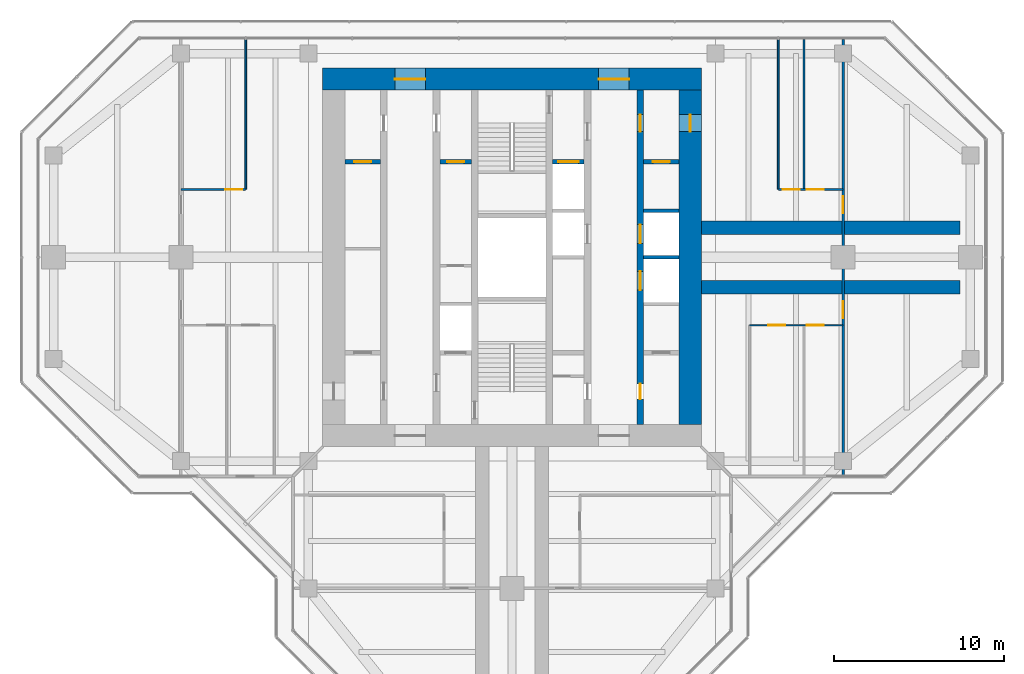
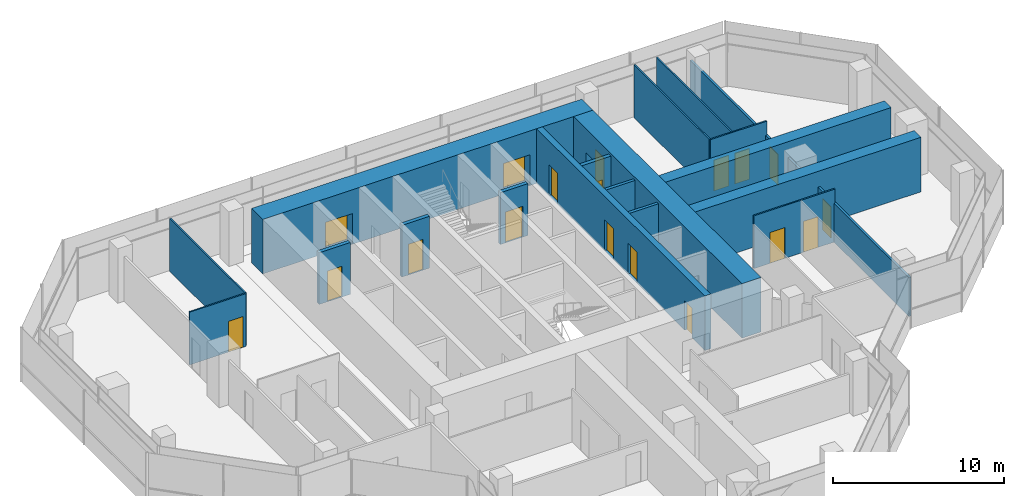
# One storey, part 13 of 16: 18 doors, 18 walls, 18 openings.
"""IFC4 building model written with IfcOpenShell, lengths in metres."""

from ifc_helpers import new_model, si_unit, direction, frame, frame_2d, origin, place, context, subcontext, project, spatial, rectangle, extrude, material, layer, layer_set, type_object, element, fill, save


model = new_model("IFC4")

# Units and contexts
model_context = context("Model", 3, precision=1e-05, world=origin(), true_north=direction((0.0, 1.0)))
body_context = subcontext(model_context, "Body", "Model", "MODEL_VIEW")
ifc_project = project(units=[si_unit("LENGTHUNIT", "METRE"), si_unit("AREAUNIT", "SQUARE_METRE"), si_unit("VOLUMEUNIT", "CUBIC_METRE"), si_unit("PLANEANGLEUNIT", "RADIAN"), si_unit("MASSUNIT", "GRAM", prefix="KILO")], contexts=[model_context])

# Site, building, storey
site_placement = place(None, origin())
site = spatial("IfcSite", under=ifc_project, at=site_placement, CompositionType="ELEMENT")
building_placement = place(site_placement, origin())
building = spatial("IfcBuilding", under=site, at=building_placement, Name="Mizan Broadcast Tower", CompositionType="ELEMENT")
storey_placement = place(building_placement, frame((0.0, 0.0, 294.60009765625)))
storey = spatial("IfcBuildingStorey", under=building, at=storey_placement, Name="L70", CompositionType="ELEMENT", Elevation=294.60009765625)

# Wall, openings, doors
ifc_material_1 = material(Name="Concrete C70/85", Category="concrete")
ifc_layer_1 = layer(ifc_material_1, 0.39990234375)
ifc_layer_set_1 = layer_set([ifc_layer_1], Name="Concrete C70/85")
wall_type_1 = type_object("IfcWallType", Name="CORE INTERNAL WALL 400", PredefinedType="SHEAR", material=ifc_layer_set_1)
wall_1_placement = place(storey_placement, frame((7.550048828125, 9.85009765625, 0.0), z_axis=(0.0, 0.0, 1.0), x_axis=(0.0, -1.0, 0.0)))
wall_1 = element("IfcWall", 1, at=wall_1_placement, inside=storey, type_object=wall_type_1, Name="Core wall CORE/XW1E", PredefinedType="SHEAR", context=body_context, shape_type="SweptSolid", body=[
    extrude(rectangle(XDim=19.7001953125, YDim=0.39990234375, at=frame_2d((9.85009765625, 0.0))), origin(), (0.0, 0.0, 1.0), 3.89990234375),
])
opening_1_placement = place(wall_1_placement, frame((1.449951171875, 0.0, 0.0)))
opening_1 = element("IfcOpeningElement", 2, at=opening_1_placement, cuts=wall_1, Name="Opening D10F", PredefinedType="OPENING", context=body_context, shape_type="SweptSolid", body=[
    extrude(rectangle(XDim=1.0, YDim=2.199951171875, at=frame_2d((0.5, 1.10009765625))), frame((0.0, 0.2099609375, 0.0), z_axis=(0.0, -1.0, 0.0), x_axis=(1.0, 0.0, 0.0)), (0.0, 0.0, 1.0), 0.419921875),
])
opening_2_placement = place(wall_1_placement, frame((17.300048828125, 0.0, 0.0)))
opening_2 = element("IfcOpeningElement", 3, at=opening_2_placement, cuts=wall_1, Name="Opening D09", PredefinedType="OPENING", context=body_context, shape_type="SweptSolid", body=[
    extrude(rectangle(XDim=0.89990234375, YDim=2.10009765625, at=frame_2d((0.449951171875, 1.050048828125))), frame((0.0, 0.2099609375, 0.0), z_axis=(0.0, -1.0, 0.0), x_axis=(1.0, 0.0, 0.0)), (0.0, 0.0, 1.0), 0.419921875),
])
opening_3_placement = place(wall_1_placement, frame((7.925048828125, 0.0, 0.0)))
opening_3 = element("IfcOpeningElement", 4, at=opening_3_placement, cuts=wall_1, Name="Opening LD", PredefinedType="OPENING", context=body_context, shape_type="SweptSolid", body=[
    extrude(rectangle(XDim=1.10009765625, YDim=2.199951171875, at=frame_2d((0.550048828125, 1.10009765625))), frame((0.0, 0.2099609375, 0.0), z_axis=(0.0, -1.0, 0.0), x_axis=(1.0, 0.0, 0.0)), (0.0, 0.0, 1.0), 0.419921875),
])
opening_4_placement = place(wall_1_placement, frame((10.675048828125, 0.0, 0.0)))
opening_4 = element("IfcOpeningElement", 5, at=opening_4_placement, cuts=wall_1, Name="Opening LD", PredefinedType="OPENING", context=body_context, shape_type="SweptSolid", body=[
    extrude(rectangle(XDim=1.10009765625, YDim=2.199951171875, at=frame_2d((0.550048828125, 1.10009765625))), frame((0.0, 0.2099609375, 0.0), z_axis=(0.0, -1.0, 0.0), x_axis=(1.0, 0.0, 0.0)), (0.0, 0.0, 1.0), 0.419921875),
])
ifc_material_2 = material(Name="Steel door leaf in steel frame", Category="steel")
door_type_1 = type_object("IfcDoorType", Name="FIRE DOOR 1000 FD90", OperationType="SINGLE_SWING_LEFT", PredefinedType="DOOR", material=ifc_material_2)
door_1_placement = place(opening_1_placement, origin())
door_1 = element("IfcDoor", 6, at=door_1_placement, inside=storey, type_object=door_type_1, Name="East core passage door", OperationType="SINGLE_SWING_LEFT", OverallHeight=2.199951171875, OverallWidth=1.0, PredefinedType="DOOR", context=body_context, shape_type="SweptSolid", body=[
    extrude(rectangle(XDim=1.0, YDim=2.199951171875, at=frame_2d((0.5, 1.10009765625))), frame((0.0, 0.02490234375, 0.0), z_axis=(0.0, -1.0, 0.0), x_axis=(1.0, 0.0, 0.0)), (0.0, 0.0, 1.0), 0.050048828125),
])
fill(opening_1, door_1)
ifc_material_3 = material(Name="Steel door leaf in steel frame", Category="steel")
door_type_2 = type_object("IfcDoorType", Name="LIFT LANDING DOOR 1100", OperationType="SLIDING_TO_LEFT", PredefinedType="DOOR", material=ifc_material_3)
door_2_placement = place(opening_3_placement, origin())
door_2 = element("IfcDoor", 7, at=door_2_placement, inside=storey, type_object=door_type_2, Name="Landing door LD1", OperationType="SLIDING_TO_LEFT", OverallHeight=2.199951171875, OverallWidth=1.10009765625, PredefinedType="DOOR", context=body_context, shape_type="SweptSolid", body=[
    extrude(rectangle(XDim=1.10009765625, YDim=2.199951171875, at=frame_2d((0.550048828125, 1.10009765625))), frame((0.0, 0.02490234375, 0.0), z_axis=(0.0, -1.0, 0.0), x_axis=(1.0, 0.0, 0.0)), (0.0, 0.0, 1.0), 0.050048828125),
])
fill(opening_3, door_2)
door_3_placement = place(opening_4_placement, origin())
door_3 = element("IfcDoor", 8, at=door_3_placement, inside=storey, type_object=door_type_2, Name="Landing door LD2", OperationType="SLIDING_TO_LEFT", OverallHeight=2.199951171875, OverallWidth=1.10009765625, PredefinedType="DOOR", context=body_context, shape_type="SweptSolid", body=[
    extrude(rectangle(XDim=1.10009765625, YDim=2.199951171875, at=frame_2d((0.550048828125, 1.10009765625))), frame((0.0, 0.02490234375, 0.0), z_axis=(0.0, -1.0, 0.0), x_axis=(1.0, 0.0, 0.0)), (0.0, 0.0, 1.0), 0.050048828125),
])
fill(opening_4, door_3)
ifc_material_4 = material(Name="Timber door leaf in aluminium frame", Category="wood")
door_type_3 = type_object("IfcDoorType", Name="TOILET DOOR 900", OperationType="SINGLE_SWING_LEFT", PredefinedType="DOOR", material=ifc_material_4)
door_4_placement = place(opening_2_placement, origin())
door_4 = element("IfcDoor", 9, at=door_4_placement, inside=storey, type_object=door_type_3, Name="Female WC door", OperationType="SINGLE_SWING_RIGHT", OverallHeight=2.10009765625, OverallWidth=0.89990234375, PredefinedType="DOOR", context=body_context, shape_type="SweptSolid", body=[
    extrude(rectangle(XDim=0.89990234375, YDim=2.10009765625, at=frame_2d((0.449951171875, 1.050048828125))), frame((0.0, 0.02490234375, 0.0), z_axis=(0.0, -1.0, 0.0), x_axis=(1.0, 0.0, 0.0)), (0.0, 0.0, 1.0), 0.050048828125),
])
fill(opening_2, door_4)

ifc_material_5 = material(Name="Concrete C70/85", Category="concrete")
ifc_layer_2 = layer(ifc_material_5, 1.300048828125)
ifc_layer_set_2 = layer_set([ifc_layer_2], Name="Concrete C70/85")
wall_type_2 = type_object("IfcWallType", Name="CORE WALL 1300", PredefinedType="SHEAR", material=ifc_layer_set_2)
wall_2_placement = place(storey_placement, frame((-11.14990234375, 10.5, 0.0), z_axis=(0.0, 0.0, 1.0), x_axis=(1.0, 0.0, 0.0)))
wall_2 = element("IfcWall", 10, at=wall_2_placement, inside=storey, type_object=wall_type_2, Name="Core wall N L70", PredefinedType="SHEAR", context=body_context, shape_type="SweptSolid", body=[
    extrude(rectangle(XDim=22.2998046875, YDim=1.300048828125, at=frame_2d((11.14990234375, 0.0))), origin(), (0.0, 0.0, 1.0), 3.89990234375),
])
opening_5_placement = place(wall_2_placement, frame((4.25, 0.0, 0.0)))
opening_5 = element("IfcOpeningElement", 11, at=opening_5_placement, cuts=wall_2, Name="Opening D18F", PredefinedType="OPENING", context=body_context, shape_type="SweptSolid", body=[
    extrude(rectangle(XDim=1.800048828125, YDim=2.199951171875, at=frame_2d((0.89990234375, 1.10009765625))), frame((0.0, 0.659912109375, 0.0), z_axis=(0.0, -1.0, 0.0), x_axis=(1.0, 0.0, 0.0)), (0.0, 0.0, 1.0), 1.320068359375),
])
opening_6_placement = place(wall_2_placement, frame((16.25, 0.0, 0.0)))
opening_6 = element("IfcOpeningElement", 12, at=opening_6_placement, cuts=wall_2, Name="Opening D18F", PredefinedType="OPENING", context=body_context, shape_type="SweptSolid", body=[
    extrude(rectangle(XDim=1.800048828125, YDim=2.199951171875, at=frame_2d((0.89990234375, 1.10009765625))), frame((0.0, 0.659912109375, 0.0), z_axis=(0.0, -1.0, 0.0), x_axis=(1.0, 0.0, 0.0)), (0.0, 0.0, 1.0), 1.320068359375),
])
ifc_material_6 = material(Name="Steel door leaf in steel frame", Category="steel")
door_type_4 = type_object("IfcDoorType", Name="LOBBY DOUBLE DOOR 1800 FD90", OperationType="DOUBLE_DOOR_DOUBLE_SWING", PredefinedType="DOOR", material=ifc_material_6)
door_5_placement = place(opening_5_placement, origin())
door_5 = element("IfcDoor", 13, at=door_5_placement, inside=storey, type_object=door_type_4, Name="West lift lobby north door", OperationType="DOUBLE_DOOR_DOUBLE_SWING", OverallHeight=2.199951171875, OverallWidth=1.800048828125, PredefinedType="DOOR", context=body_context, shape_type="SweptSolid", body=[
    extrude(rectangle(XDim=1.800048828125, YDim=2.199951171875, at=frame_2d((0.89990234375, 1.10009765625))), frame((0.0, 0.02490234375, 0.0), z_axis=(0.0, -1.0, 0.0), x_axis=(1.0, 0.0, 0.0)), (0.0, 0.0, 1.0), 0.050048828125),
])
fill(opening_5, door_5)
door_6_placement = place(opening_6_placement, origin())
door_6 = element("IfcDoor", 14, at=door_6_placement, inside=storey, type_object=door_type_4, Name="East lift lobby north door", OperationType="DOUBLE_DOOR_DOUBLE_SWING", OverallHeight=2.199951171875, OverallWidth=1.800048828125, PredefinedType="DOOR", context=body_context, shape_type="SweptSolid", body=[
    extrude(rectangle(XDim=1.800048828125, YDim=2.199951171875, at=frame_2d((0.89990234375, 1.10009765625))), frame((0.0, 0.02490234375, 0.0), z_axis=(0.0, -1.0, 0.0), x_axis=(1.0, 0.0, 0.0)), (0.0, 0.0, 1.0), 0.050048828125),
])
fill(opening_6, door_6)

# Wall, opening, door
wall_3_placement = place(storey_placement, frame((10.5, -9.85009765625, 0.0), z_axis=(0.0, 0.0, 1.0), x_axis=(0.0, 1.0, 0.0)))
wall_3 = element("IfcWall", 15, at=wall_3_placement, inside=storey, type_object=wall_type_2, Name="Core wall E L70", PredefinedType="SHEAR", context=body_context, shape_type="SweptSolid", body=[
    extrude(rectangle(XDim=19.7001953125, YDim=1.300048828125, at=frame_2d((9.85009765625, 0.0))), origin(), (0.0, 0.0, 1.0), 3.89990234375),
])
opening_7_placement = place(wall_3_placement, frame((17.25, 0.0, 0.0)))
opening_7 = element("IfcOpeningElement", 16, at=opening_7_placement, cuts=wall_3, Name="Opening D10F", PredefinedType="OPENING", context=body_context, shape_type="SweptSolid", body=[
    extrude(rectangle(XDim=1.0, YDim=2.199951171875, at=frame_2d((0.5, 1.10009765625))), frame((0.0, 0.659912109375, 0.0), z_axis=(0.0, -1.0, 0.0), x_axis=(1.0, 0.0, 0.0)), (0.0, 0.0, 1.0), 1.320068359375),
])
door_7_placement = place(opening_7_placement, origin())
door_7 = element("IfcDoor", 17, at=door_7_placement, inside=storey, type_object=door_type_1, Name="East core passage arm door", OperationType="SINGLE_SWING_RIGHT", OverallHeight=2.199951171875, OverallWidth=1.0, PredefinedType="DOOR", context=body_context, shape_type="SweptSolid", body=[
    extrude(rectangle(XDim=1.0, YDim=2.199951171875, at=frame_2d((0.5, 1.10009765625))), frame((0.0, 0.02490234375, 0.0), z_axis=(0.0, -1.0, 0.0), x_axis=(1.0, 0.0, 0.0)), (0.0, 0.0, 1.0), 0.050048828125),
])
fill(opening_7, door_7)

# Walls
ifc_material_7 = material(Name="Concrete blockwork", Category="masonry")
ifc_layer_3 = layer(ifc_material_7, 0.199951171875)
ifc_layer_set_3 = layer_set([ifc_layer_3], Name="Concrete blockwork")
wall_type_3 = type_object("IfcWallType", Name="LIFT SHAFT WALL 200", PredefinedType="SOLIDWALL", material=ifc_layer_set_3)
for number, where, z_axis, x_axis, name in (
    (18, (7.75, 0.0, 0.0), (0.0, 0.0, 1.0), (1.0, 0.0, 0.0), "Lift shaft wall CORE/SE1-2"),
    (19, (7.75, 2.75, 0.0), (0.0, 0.0, 1.0), (1.0, 0.0, 0.0), "Lift shaft wall CORE/SE1-3"),
):
    element("IfcWall", number, at=place(storey_placement, frame(where, z_axis=z_axis, x_axis=x_axis)), inside=storey, type_object=wall_type_3, Name=name, PredefinedType="SOLIDWALL", context=body_context, shape_type="SweptSolid", body=[
        extrude(rectangle(XDim=2.10009765625, YDim=0.199951171875, at=frame_2d((1.050048828125, 0.0))), origin(), (0.0, 0.0, 1.0), 3.699951171875),
    ])

# Wall, opening, door
ifc_material_8 = material(Name="Concrete blockwork", Category="masonry")
ifc_layer_4 = layer(ifc_material_8, 0.25)
ifc_layer_set_4 = layer_set([ifc_layer_4], Name="Concrete blockwork")
wall_type_4 = type_object("IfcWallType", Name="LOBBY ENCLOSURE WALL 250", PredefinedType="SOLIDWALL", material=ifc_layer_set_4)
wall_4_placement = place(storey_placement, frame((-9.85009765625, 5.625, 0.0), z_axis=(0.0, 0.0, 1.0), x_axis=(1.0, 0.0, 0.0)))
wall_4 = element("IfcWall", 20, at=wall_4_placement, inside=storey, type_object=wall_type_4, Name="Lobby enclosure wall CORE/BW1N", PredefinedType="SOLIDWALL", context=body_context, shape_type="SweptSolid", body=[
    extrude(rectangle(XDim=2.10009765625, YDim=0.25, at=frame_2d((1.050048828125, 0.0))), origin(), (0.0, 0.0, 1.0), 3.699951171875),
])
opening_8_placement = place(wall_4_placement, frame((0.550048828125, 0.0, 0.0)))
opening_8 = element("IfcOpeningElement", 21, at=opening_8_placement, cuts=wall_4, Name="Opening D10F", PredefinedType="OPENING", context=body_context, shape_type="SweptSolid", body=[
    extrude(rectangle(XDim=1.0, YDim=2.199951171875, at=frame_2d((0.5, 1.10009765625))), frame((0.0, 0.135009765625, 0.0), z_axis=(0.0, -1.0, 0.0), x_axis=(1.0, 0.0, 0.0)), (0.0, 0.0, 1.0), 0.27001953125),
])
door_8_placement = place(opening_8_placement, origin())
door_8 = element("IfcDoor", 22, at=door_8_placement, inside=storey, type_object=door_type_1, Name="Male staff shower room door", OperationType="SINGLE_SWING_RIGHT", OverallHeight=2.199951171875, OverallWidth=1.0, PredefinedType="DOOR", context=body_context, shape_type="SweptSolid", body=[
    extrude(rectangle(XDim=1.0, YDim=2.199951171875, at=frame_2d((0.5, 1.10009765625))), frame((0.0, 0.02490234375, 0.0), z_axis=(0.0, -1.0, 0.0), x_axis=(1.0, 0.0, 0.0)), (0.0, 0.0, 1.0), 0.050048828125),
])
fill(opening_8, door_8)

wall_5_placement = place(storey_placement, frame((-4.25, 5.625, 0.0), z_axis=(0.0, 0.0, 1.0), x_axis=(1.0, 0.0, 0.0)))
wall_5 = element("IfcWall", 23, at=wall_5_placement, inside=storey, type_object=wall_type_4, Name="Lobby enclosure wall CORE/BW2N", PredefinedType="SOLIDWALL", context=body_context, shape_type="SweptSolid", body=[
    extrude(rectangle(XDim=1.85009765625, YDim=0.25, at=frame_2d((0.925048828125, 0.0))), origin(), (0.0, 0.0, 1.0), 3.699951171875),
])
opening_9_placement = place(wall_5_placement, frame((0.425048828125, 0.0, 0.0)))
opening_9 = element("IfcOpeningElement", 24, at=opening_9_placement, cuts=wall_5, Name="Opening D10F", PredefinedType="OPENING", context=body_context, shape_type="SweptSolid", body=[
    extrude(rectangle(XDim=1.0, YDim=2.199951171875, at=frame_2d((0.5, 1.10009765625))), frame((0.0, 0.135009765625, 0.0), z_axis=(0.0, -1.0, 0.0), x_axis=(1.0, 0.0, 0.0)), (0.0, 0.0, 1.0), 0.27001953125),
])
door_9_placement = place(opening_9_placement, origin())
door_9 = element("IfcDoor", 25, at=door_9_placement, inside=storey, type_object=door_type_1, Name="Accessible shower room door", OperationType="SINGLE_SWING_RIGHT", OverallHeight=2.199951171875, OverallWidth=1.0, PredefinedType="DOOR", context=body_context, shape_type="SweptSolid", body=[
    extrude(rectangle(XDim=1.0, YDim=2.199951171875, at=frame_2d((0.5, 1.10009765625))), frame((0.0, 0.02490234375, 0.0), z_axis=(0.0, -1.0, 0.0), x_axis=(1.0, 0.0, 0.0)), (0.0, 0.0, 1.0), 0.050048828125),
])
fill(opening_9, door_9)

wall_6_placement = place(storey_placement, frame((2.39990234375, 5.625, 0.0), z_axis=(0.0, 0.0, 1.0), x_axis=(1.0, 0.0, 0.0)))
wall_6 = element("IfcWall", 26, at=wall_6_placement, inside=storey, type_object=wall_type_4, Name="Lobby enclosure wall CORE/BE2N", PredefinedType="SOLIDWALL", context=body_context, shape_type="SweptSolid", body=[
    extrude(rectangle(XDim=1.85009765625, YDim=0.25, at=frame_2d((0.925048828125, 0.0))), origin(), (0.0, 0.0, 1.0), 3.699951171875),
])
opening_10_placement = place(wall_6_placement, frame((0.324951171875, 0.0, 0.0)))
opening_10 = element("IfcOpeningElement", 27, at=opening_10_placement, cuts=wall_6, Name="Opening LDF", PredefinedType="OPENING", context=body_context, shape_type="SweptSolid", body=[
    extrude(rectangle(XDim=1.199951171875, YDim=2.199951171875, at=frame_2d((0.60009765625, 1.10009765625))), frame((0.0, 0.135009765625, 0.0), z_axis=(0.0, -1.0, 0.0), x_axis=(1.0, 0.0, 0.0)), (0.0, 0.0, 1.0), 0.27001953125),
])
ifc_material_9 = material(Name="Steel door leaf in steel frame", Category="steel")
door_type_5 = type_object("IfcDoorType", Name="FIREFIGHTING LIFT LANDING DOOR 1200", OperationType="SLIDING_TO_LEFT", PredefinedType="DOOR", material=ifc_material_9)
door_10_placement = place(opening_10_placement, origin())
door_10 = element("IfcDoor", 28, at=door_10_placement, inside=storey, type_object=door_type_5, Name="Landing door FF2", OperationType="SLIDING_TO_LEFT", OverallHeight=2.199951171875, OverallWidth=1.199951171875, PredefinedType="DOOR", context=body_context, shape_type="SweptSolid", body=[
    extrude(rectangle(XDim=1.199951171875, YDim=2.199951171875, at=frame_2d((0.60009765625, 1.10009765625))), frame((0.0, 0.02490234375, 0.0), z_axis=(0.0, -1.0, 0.0), x_axis=(1.0, 0.0, 0.0)), (0.0, 0.0, 1.0), 0.050048828125),
])
fill(opening_10, door_10)

wall_7_placement = place(storey_placement, frame((7.75, 5.625, 0.0), z_axis=(0.0, 0.0, 1.0), x_axis=(1.0, 0.0, 0.0)))
wall_7 = element("IfcWall", 29, at=wall_7_placement, inside=storey, type_object=wall_type_4, Name="Lobby enclosure wall CORE/BE1N", PredefinedType="SOLIDWALL", context=body_context, shape_type="SweptSolid", body=[
    extrude(rectangle(XDim=2.10009765625, YDim=0.25, at=frame_2d((1.050048828125, 0.0))), origin(), (0.0, 0.0, 1.0), 3.699951171875),
])
opening_11_placement = place(wall_7_placement, frame((0.550048828125, 0.0, 0.0)))
opening_11 = element("IfcOpeningElement", 30, at=opening_11_placement, cuts=wall_7, Name="Opening D10F", PredefinedType="OPENING", context=body_context, shape_type="SweptSolid", body=[
    extrude(rectangle(XDim=1.0, YDim=2.199951171875, at=frame_2d((0.5, 1.10009765625))), frame((0.0, 0.135009765625, 0.0), z_axis=(0.0, -1.0, 0.0), x_axis=(1.0, 0.0, 0.0)), (0.0, 0.0, 1.0), 0.27001953125),
])
door_11_placement = place(opening_11_placement, origin())
door_11 = element("IfcDoor", 31, at=door_11_placement, inside=storey, type_object=door_type_1, Name="IT room door", OperationType="SINGLE_SWING_LEFT", OverallHeight=2.199951171875, OverallWidth=1.0, PredefinedType="DOOR", context=body_context, shape_type="SweptSolid", body=[
    extrude(rectangle(XDim=1.0, YDim=2.199951171875, at=frame_2d((0.5, 1.10009765625))), frame((0.0, 0.02490234375, 0.0), z_axis=(0.0, -1.0, 0.0), x_axis=(1.0, 0.0, 0.0)), (0.0, 0.0, 1.0), 0.050048828125),
])
fill(opening_11, door_11)

# Wall, openings, doors
ifc_material_10 = material(Name="Gypsum board on steel studs", Category="steel")
ifc_layer_5 = layer(ifc_material_10, 0.14990234375)
ifc_layer_set_5 = layer_set([ifc_layer_5], Name="Gypsum board on steel studs")
wall_type_5 = type_object("IfcWallType", Name="PARTITION 150", PredefinedType="PARTITIONING", material=ifc_layer_set_5)
wall_8_placement = place(storey_placement, frame((19.5, -12.820068359375, 0.0), z_axis=(0.0, 0.0, 1.0), x_axis=(0.0, 1.0, 0.0)))
wall_8 = element("IfcWall", 32, at=wall_8_placement, inside=storey, type_object=wall_type_5, Name="Partition PT/EX1", PredefinedType="PARTITIONING", context=body_context, shape_type="SweptSolid", body=[
    extrude(rectangle(XDim=25.64013671875, YDim=0.14990234375, at=frame_2d((12.820068359375, 0.0))), origin(), (0.0, 0.0, 1.0), 2.77001953125),
])
opening_12_placement = place(wall_8_placement, frame((15.419921875, 0.0, 0.0)))
opening_12 = element("IfcOpeningElement", 33, at=opening_12_placement, cuts=wall_8, Name="Opening D10", PredefinedType="OPENING", context=body_context, shape_type="SweptSolid", body=[
    extrude(rectangle(XDim=1.0, YDim=2.199951171875, at=frame_2d((0.5, 1.10009765625))), frame((0.0, 0.0849609375, 0.0), z_axis=(0.0, -1.0, 0.0), x_axis=(1.0, 0.0, 0.0)), (0.0, 0.0, 1.0), 0.169921875),
])
opening_13_placement = place(wall_8_placement, frame((9.219970703125, 0.0, 0.0)))
opening_13 = element("IfcOpeningElement", 34, at=opening_13_placement, cuts=wall_8, Name="Opening D10", PredefinedType="OPENING", context=body_context, shape_type="SweptSolid", body=[
    extrude(rectangle(XDim=1.0, YDim=2.199951171875, at=frame_2d((0.5, 1.10009765625))), frame((0.0, 0.0849609375, 0.0), z_axis=(0.0, -1.0, 0.0), x_axis=(1.0, 0.0, 0.0)), (0.0, 0.0, 1.0), 0.169921875),
])
ifc_material_11 = material(Name="Timber door leaf in aluminium frame", Category="wood")
door_type_6 = type_object("IfcDoorType", Name="ROOM DOOR 1000", OperationType="SINGLE_SWING_LEFT", PredefinedType="DOOR", material=ifc_material_11)
door_12_placement = place(opening_12_placement, origin())
door_12 = element("IfcDoor", 35, at=door_12_placement, inside=storey, type_object=door_type_6, Name="Executive office door", OperationType="SINGLE_SWING_RIGHT", OverallHeight=2.199951171875, OverallWidth=1.0, PredefinedType="DOOR", context=body_context, shape_type="SweptSolid", body=[
    extrude(rectangle(XDim=1.0, YDim=2.199951171875, at=frame_2d((0.5, 1.10009765625))), frame((0.0, 0.02490234375, 0.0), z_axis=(0.0, -1.0, 0.0), x_axis=(1.0, 0.0, 0.0)), (0.0, 0.0, 1.0), 0.050048828125),
])
fill(opening_12, door_12)
door_13_placement = place(opening_13_placement, origin())
door_13 = element("IfcDoor", 36, at=door_13_placement, inside=storey, type_object=door_type_6, Name="Executive office door", OperationType="SINGLE_SWING_LEFT", OverallHeight=2.199951171875, OverallWidth=1.0, PredefinedType="DOOR", context=body_context, shape_type="SweptSolid", body=[
    extrude(rectangle(XDim=1.0, YDim=2.199951171875, at=frame_2d((0.5, 1.10009765625))), frame((0.0, 0.02490234375, 0.0), z_axis=(0.0, -1.0, 0.0), x_axis=(1.0, 0.0, 0.0)), (0.0, 0.0, 1.0), 0.050048828125),
])
fill(opening_13, door_13)

ifc_material_12 = material(Name="Glazed aluminium partition on aluminium track", Category="aluminium")
ifc_layer_6 = layer(ifc_material_12, 0.10009765625)
ifc_layer_set_6 = layer_set([ifc_layer_6], Name="Glazed aluminium partition on aluminium track")
wall_type_6 = type_object("IfcWallType", Name="PARTITION GLAZED OFFICE FRONT 100", PredefinedType="PARTITIONING", material=ifc_layer_set_6)
wall_9_placement = place(storey_placement, frame((15.68505859375, 4.0, 0.0), z_axis=(0.0, 0.0, 1.0), x_axis=(1.0, 0.0, 0.0)))
wall_9 = element("IfcWall", 37, at=wall_9_placement, inside=storey, type_object=wall_type_6, Name="Glazed office front PT/ECP0", PredefinedType="PARTITIONING", context=body_context, shape_type="SweptSolid", body=[
    extrude(rectangle(XDim=3.81494140625, YDim=0.10009765625, at=frame_2d((1.907470703125, 0.0))), origin(), (0.0, 0.0, 1.0), 3.77001953125),
])
opening_14_placement = place(wall_9_placement, frame((0.257568359375, 0.0, 0.0)))
opening_14 = element("IfcOpeningElement", 38, at=opening_14_placement, cuts=wall_9, Name="Opening D10O", PredefinedType="OPENING", context=body_context, shape_type="SweptSolid", body=[
    extrude(rectangle(XDim=1.0, YDim=2.199951171875, at=frame_2d((0.5, 1.10009765625))), frame((0.0, 0.06005859375, 0.0), z_axis=(0.0, -1.0, 0.0), x_axis=(1.0, 0.0, 0.0)), (0.0, 0.0, 1.0), 0.1201171875),
])
opening_15_placement = place(wall_9_placement, frame((1.6650390625, 0.0, 0.0)))
opening_15 = element("IfcOpeningElement", 39, at=opening_15_placement, cuts=wall_9, Name="Opening D10O", PredefinedType="OPENING", context=body_context, shape_type="SweptSolid", body=[
    extrude(rectangle(XDim=1.0, YDim=2.199951171875, at=frame_2d((0.5, 1.10009765625))), frame((0.0, 0.06005859375, 0.0), z_axis=(0.0, -1.0, 0.0), x_axis=(1.0, 0.0, 0.0)), (0.0, 0.0, 1.0), 0.1201171875),
])
ifc_material_13 = material(Name="Timber door leaf in aluminium frame", Category="wood")
door_type_7 = type_object("IfcDoorType", Name="OFFICE DOOR 1000 GLAZED", OperationType="SINGLE_SWING_LEFT", PredefinedType="DOOR", material=ifc_material_13)
door_14_placement = place(opening_14_placement, origin())
door_14 = element("IfcDoor", 40, at=door_14_placement, inside=storey, type_object=door_type_7, Name="Executive reception door", OperationType="SINGLE_SWING_LEFT", OverallHeight=2.199951171875, OverallWidth=1.0, PredefinedType="DOOR", context=body_context, shape_type="SweptSolid", body=[
    extrude(rectangle(XDim=1.0, YDim=2.199951171875, at=frame_2d((0.5, 1.10009765625))), frame((0.0, 0.02490234375, 0.0), z_axis=(0.0, -1.0, 0.0), x_axis=(1.0, 0.0, 0.0)), (0.0, 0.0, 1.0), 0.050048828125),
])
fill(opening_14, door_14)
door_15_placement = place(opening_15_placement, origin())
door_15 = element("IfcDoor", 41, at=door_15_placement, inside=storey, type_object=door_type_7, Name="Chairman's office door", OperationType="SINGLE_SWING_RIGHT", OverallHeight=2.199951171875, OverallWidth=1.0, PredefinedType="DOOR", context=body_context, shape_type="SweptSolid", body=[
    extrude(rectangle(XDim=1.0, YDim=2.199951171875, at=frame_2d((0.5, 1.10009765625))), frame((0.0, 0.02490234375, 0.0), z_axis=(0.0, -1.0, 0.0), x_axis=(1.0, 0.0, 0.0)), (0.0, 0.0, 1.0), 0.050048828125),
])
fill(opening_15, door_15)

# Walls
for number, where, z_axis, x_axis, name in (
    (42, (15.68505859375, 4.0, 0.0), (0.0, 0.0, 1.0), (0.0, 1.0, 0.0), "Glazed office front PT/EQP1568"),
    (43, (17.199951171875, 4.0, 0.0), (0.0, 0.0, 1.0), (0.0, 1.0, 0.0), "Glazed office front PT/EQP1720"),
):
    element("IfcWall", number, at=place(storey_placement, frame(where, z_axis=z_axis, x_axis=x_axis)), inside=storey, type_object=wall_type_6, Name=name, PredefinedType="PARTITIONING", context=body_context, shape_type="SweptSolid", body=[
        extrude(rectangle(XDim=8.820068359375, YDim=0.10009765625, at=frame_2d((4.41015625, 0.0))), origin(), (0.0, 0.0, 1.0), 3.77001953125),
    ])

# Wall, openings, doors
wall_10_placement = place(storey_placement, frame((14.0, -4.0, 0.0), z_axis=(0.0, 0.0, 1.0), x_axis=(1.0, 0.0, 0.0)))
wall_10 = element("IfcWall", 44, at=wall_10_placement, inside=storey, type_object=wall_type_6, Name="Glazed office front PT/ECN0", PredefinedType="PARTITIONING", context=body_context, shape_type="SweptSolid", body=[
    extrude(rectangle(XDim=5.5, YDim=0.10009765625, at=frame_2d((2.75, 0.0))), origin(), (0.0, 0.0, 1.0), 3.77001953125),
])
opening_16_placement = place(wall_10_placement, frame((1.10009765625, 0.0, 0.0)))
opening_16 = element("IfcOpeningElement", 45, at=opening_16_placement, cuts=wall_10, Name="Opening D10O", PredefinedType="OPENING", context=body_context, shape_type="SweptSolid", body=[
    extrude(rectangle(XDim=1.0, YDim=2.199951171875, at=frame_2d((0.5, 1.10009765625))), frame((0.0, 0.06005859375, 0.0), z_axis=(0.0, -1.0, 0.0), x_axis=(1.0, 0.0, 0.0)), (0.0, 0.0, 1.0), 0.1201171875),
])
opening_17_placement = place(wall_10_placement, frame((3.35009765625, 0.0, 0.0)))
opening_17 = element("IfcOpeningElement", 46, at=opening_17_placement, cuts=wall_10, Name="Opening D10O", PredefinedType="OPENING", context=body_context, shape_type="SweptSolid", body=[
    extrude(rectangle(XDim=1.0, YDim=2.199951171875, at=frame_2d((0.5, 1.10009765625))), frame((0.0, 0.06005859375, 0.0), z_axis=(0.0, -1.0, 0.0), x_axis=(1.0, 0.0, 0.0)), (0.0, 0.0, 1.0), 0.1201171875),
])
door_16_placement = place(opening_16_placement, origin())
door_16 = element("IfcDoor", 47, at=door_16_placement, inside=storey, type_object=door_type_7, Name="Boardroom servery door", OperationType="SINGLE_SWING_LEFT", OverallHeight=2.199951171875, OverallWidth=1.0, PredefinedType="DOOR", context=body_context, shape_type="SweptSolid", body=[
    extrude(rectangle(XDim=1.0, YDim=2.199951171875, at=frame_2d((0.5, 1.10009765625))), frame((0.0, 0.02490234375, 0.0), z_axis=(0.0, -1.0, 0.0), x_axis=(1.0, 0.0, 0.0)), (0.0, 0.0, 1.0), 0.050048828125),
])
fill(opening_16, door_16)
door_17_placement = place(opening_17_placement, origin())
door_17 = element("IfcDoor", 48, at=door_17_placement, inside=storey, type_object=door_type_7, Name="Executive secretary's office door", OperationType="SINGLE_SWING_RIGHT", OverallHeight=2.199951171875, OverallWidth=1.0, PredefinedType="DOOR", context=body_context, shape_type="SweptSolid", body=[
    extrude(rectangle(XDim=1.0, YDim=2.199951171875, at=frame_2d((0.5, 1.10009765625))), frame((0.0, 0.02490234375, 0.0), z_axis=(0.0, -1.0, 0.0), x_axis=(1.0, 0.0, 0.0)), (0.0, 0.0, 1.0), 0.050048828125),
])
fill(opening_17, door_17)

# Wall, opening, door
wall_11_placement = place(storey_placement, frame((-15.68505859375, 4.0, 0.0), z_axis=(0.0, 0.0, 1.0), x_axis=(-1.0, 0.0, 0.0)))
wall_11 = element("IfcWall", 49, at=wall_11_placement, inside=storey, type_object=wall_type_6, Name="Glazed office front PT/WCN0", PredefinedType="PARTITIONING", context=body_context, shape_type="SweptSolid", body=[
    extrude(rectangle(XDim=3.81494140625, YDim=0.10009765625, at=frame_2d((1.907470703125, 0.0))), origin(), (0.0, 0.0, 1.0), 3.77001953125),
])
opening_18_placement = place(wall_11_placement, frame((0.20751953125, 0.0, 0.0)))
opening_18 = element("IfcOpeningElement", 50, at=opening_18_placement, cuts=wall_11, Name="Opening D10O", PredefinedType="OPENING", context=body_context, shape_type="SweptSolid", body=[
    extrude(rectangle(XDim=1.0, YDim=2.199951171875, at=frame_2d((0.5, 1.10009765625))), frame((0.0, 0.06005859375, 0.0), z_axis=(0.0, -1.0, 0.0), x_axis=(1.0, 0.0, 0.0)), (0.0, 0.0, 1.0), 0.1201171875),
])
door_18_placement = place(opening_18_placement, origin())
door_18 = element("IfcDoor", 51, at=door_18_placement, inside=storey, type_object=door_type_7, Name="Company secretary's office door", OperationType="SINGLE_SWING_LEFT", OverallHeight=2.199951171875, OverallWidth=1.0, PredefinedType="DOOR", context=body_context, shape_type="SweptSolid", body=[
    extrude(rectangle(XDim=1.0, YDim=2.199951171875, at=frame_2d((0.5, 1.10009765625))), frame((0.0, 0.02490234375, 0.0), z_axis=(0.0, -1.0, 0.0), x_axis=(1.0, 0.0, 0.0)), (0.0, 0.0, 1.0), 0.050048828125),
])
fill(opening_18, door_18)

# Walls
wall_12_placement = place(storey_placement, frame((-15.68505859375, 4.0, 0.0), z_axis=(0.0, 0.0, 1.0), x_axis=(0.0, 1.0, 0.0)))
element("IfcWall", 52, at=wall_12_placement, inside=storey, type_object=wall_type_6, Name="Glazed office front PT/WQN1568", PredefinedType="PARTITIONING", context=body_context, shape_type="SweptSolid", body=[
    extrude(rectangle(XDim=8.820068359375, YDim=0.10009765625, at=frame_2d((4.41015625, 0.0))), origin(), (0.0, 0.0, 1.0), 3.77001953125),
])
ifc_material_14 = material(Name="Concrete C70/85", Category="concrete")
ifc_layer_7 = layer(ifc_material_14, 0.800048828125)
ifc_layer_set_7 = layer_set([ifc_layer_7], Name="Concrete C70/85")
wall_type_7 = type_object("IfcWallType", Name="SPINE WALL 800", PredefinedType="SHEAR", material=ifc_layer_set_7)
for number, where, z_axis, x_axis, name in (
    (53, (11.14990234375, -1.75, 0.0), (0.0, 0.0, 1.0), (1.0, 0.0, 0.0), "Spine wall ER L70"),
    (54, (11.14990234375, 1.75, 0.0), (0.0, 0.0, 1.0), (1.0, 0.0, 0.0), "Spine wall EL L70"),
):
    element("IfcWall", number, at=place(storey_placement, frame(where, z_axis=z_axis, x_axis=x_axis)), inside=storey, type_object=wall_type_7, Name=name, PredefinedType="SHEAR", context=body_context, shape_type="SweptSolid", body=[
        extrude(rectangle(XDim=15.25, YDim=0.800048828125, at=frame_2d((7.625, 0.0))), origin(), (0.0, 0.0, 1.0), 3.89990234375),
    ])

save(model, "model.ifc")
